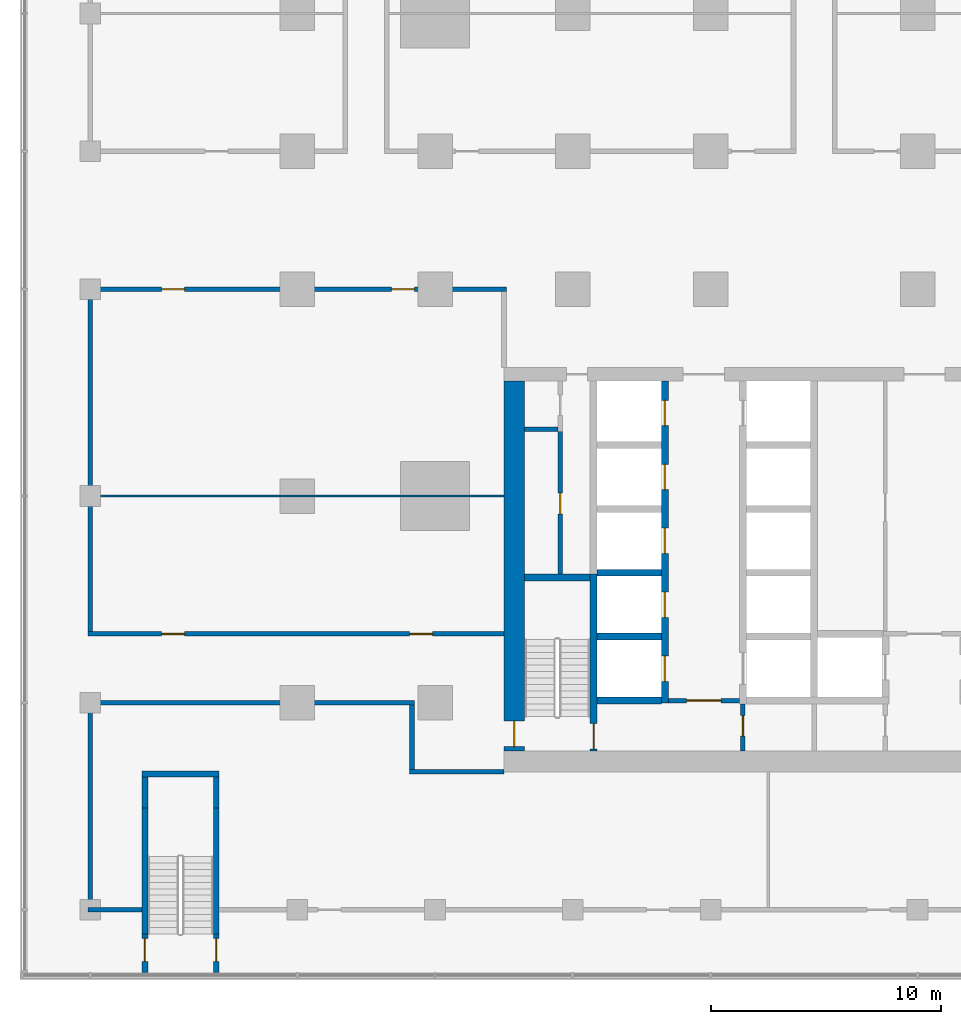
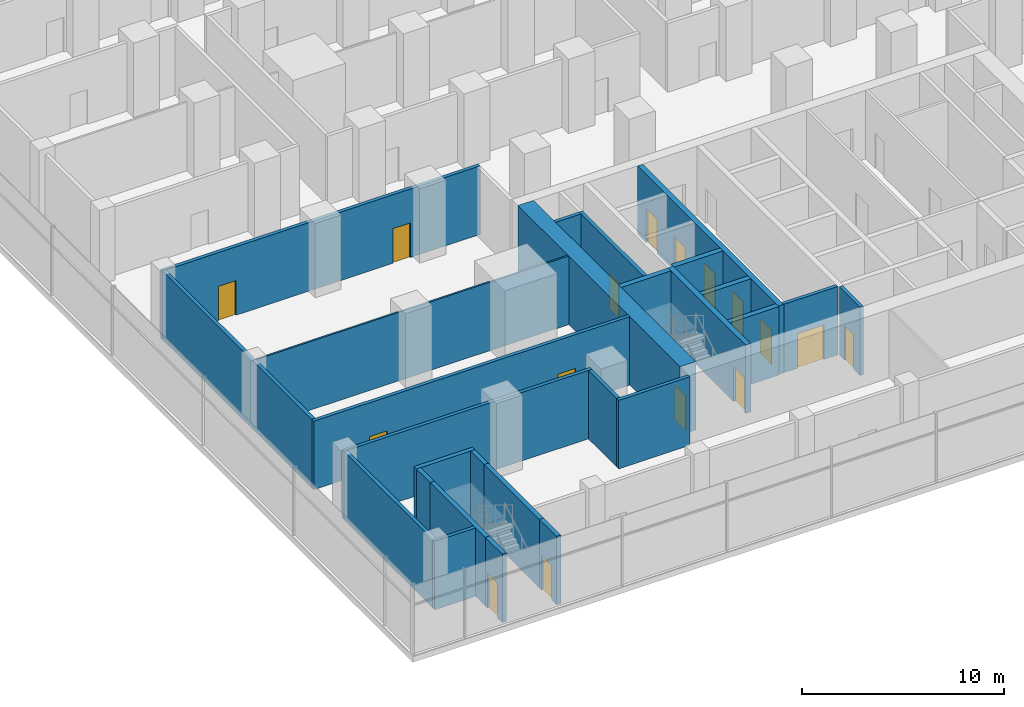
# One storey, part 12 of 22: 27 walls, 16 doors, 16 openings.
"""IFC4 building model written with IfcOpenShell, lengths in metres."""

import ifcopenshell
import ifcopenshell.guid

model = None  # the IFC model being written
_history = None  # IfcOwnerHistory: only IFC2X3 demands one
_inside = {}  # id of a spatial element -> (the spatial element, [elements in it])
_under = {}  # id of a project, library or spatial element -> (it, [spatial elements below it])
_declared = {}  # id of a project -> (the project, [libraries it declares])
_typed = {}  # id of a type object -> (the type object, [elements of that type])
_made_of = {}  # id of a material, layer set ... -> (it, [elements and type objects made of it])


def new_model(schema):
    """Start an empty IFC model of exactly this schema.

    Asked for "IFC4X3", IfcOpenShell would pick the latest addendum, in which some entities
    have other attributes; the version numbers below select the first issue.
    IFC2X3 requires an IfcOwnerHistory on every rooted entity: one is made here for all.
    """
    global model, _history
    if schema == "IFC4X3":
        model = ifcopenshell.file(schema_version=(4, 3, 0, 0))
    else:
        model = ifcopenshell.file(schema=schema)
    _inside.clear()
    _under.clear()
    _declared.clear()
    _typed.clear()
    _made_of.clear()
    _history = None
    if model.schema == "IFC2X3":
        org = make("IfcOrganization", Name="unknown")
        user = make(
            "IfcPersonAndOrganization",
            ThePerson=make("IfcPerson", FamilyName="unknown"),
            TheOrganization=org,
        )
        app = make(
            "IfcApplication",
            ApplicationDeveloper=org,
            Version="unknown",
            ApplicationFullName="unknown",
            ApplicationIdentifier="unknown",
        )
        _history = make(
            "IfcOwnerHistory",
            OwningUser=user,
            OwningApplication=app,
            ChangeAction="ADDED",
            CreationDate=0,
        )
    return model


def make(cls, **values):
    """One entity of the class cls with the attributes given. An attribute that is None is left unset."""
    return model.create_entity(
        cls, **{name: value for name, value in values.items() if value is not None}
    )


def rooted(cls, **values):
    """An entity with a GlobalId (a new one), such as an element, a storey or a relation."""
    return make(cls, GlobalId=ifcopenshell.guid.new(), OwnerHistory=_history, **values)


def si_unit(unit_type, name, prefix=None):
    """IfcSIUnit, for example si_unit("LENGTHUNIT", "METRE", prefix="MILLI")."""
    return make("IfcSIUnit", UnitType=unit_type, Prefix=prefix, Name=name)


def assignment(units):
    """IfcUnitAssignment: the units of a project."""
    return None if units is None else make("IfcUnitAssignment", Units=units)


def point(xyz):
    """IfcCartesianPoint."""
    return None if xyz is None else make("IfcCartesianPoint", Coordinates=xyz)


def direction(xyz):
    """IfcDirection."""
    return None if xyz is None else make("IfcDirection", DirectionRatios=xyz)


def frame(location, z_axis=None, x_axis=None):
    """IfcAxis2Placement3D, a coordinate frame: its origin and axes. An axis left out is left unset."""
    return make(
        "IfcAxis2Placement3D",
        Location=point(location),
        Axis=direction(z_axis),
        RefDirection=direction(x_axis),
    )


def frame_2d(location, x_axis=None):
    """IfcAxis2Placement2D, a coordinate frame in the plane: its origin and x axis."""
    return make(
        "IfcAxis2Placement2D", Location=point(location), RefDirection=direction(x_axis)
    )


def origin():
    """The frame at (0, 0, 0) with its axes left unset."""
    return frame((0.0, 0.0, 0.0))


def place(relative_to, where):
    """IfcLocalPlacement: puts the frame where relative to a parent placement (None: the world)."""
    return make(
        "IfcLocalPlacement", PlacementRelTo=relative_to, RelativePlacement=where
    )


def context(
    kind, dimensions, precision=None, world=None, true_north=None, identifier=None
):
    """IfcGeometricRepresentationContext, for example the 3D "Model" context."""
    return make(
        "IfcGeometricRepresentationContext",
        ContextIdentifier=identifier,
        ContextType=kind,
        CoordinateSpaceDimension=dimensions,
        Precision=precision,
        WorldCoordinateSystem=world,
        TrueNorth=true_north,
    )


def subcontext(parent, identifier, kind, view, scale=None):
    """IfcGeometricRepresentationSubContext, for example "Body" below "Model"."""
    return make(
        "IfcGeometricRepresentationSubContext",
        ContextIdentifier=identifier,
        ContextType=kind,
        ParentContext=parent,
        TargetScale=scale,
        TargetView=view,
    )


def project(units=None, contexts=None):
    """IfcProject with its units and contexts."""
    return rooted(
        "IfcProject",
        Name="project",
        RepresentationContexts=contexts,
        UnitsInContext=assignment(units),
    )


def spatial(cls, under=None, at=None, **own):
    """A site, building, storey or space (cls), placed at a placement, below another one or the project."""
    s = rooted(cls, ObjectPlacement=at, **own)
    if under is not None:
        _under.setdefault(under.id(), (under, []))[1].append(s)
    return s


def profile(cls, at=None, kind="AREA", **sizes):
    """A parametric profile (cls). Its sizes go by their IFC names, for example OverallWidth=200.0."""
    return make(cls, ProfileType=kind, Position=at, **sizes)


def rectangle(**sizes):
    """IfcRectangleProfileDef."""
    return profile("IfcRectangleProfileDef", **sizes)


def extrude(swept, where, along, depth):
    """IfcExtrudedAreaSolid: the profile swept, set in the frame where, extruded along a direction by depth."""
    return make(
        "IfcExtrudedAreaSolid",
        SweptArea=swept,
        Position=where,
        ExtrudedDirection=direction(along),
        Depth=depth,
    )


def shape(context_of_items, identifier, shape_type, items):
    """IfcShapeRepresentation: the items that make up one representation, for example the "Body"."""
    return make(
        "IfcShapeRepresentation",
        ContextOfItems=context_of_items,
        RepresentationIdentifier=identifier,
        RepresentationType=shape_type,
        Items=items,
    )


def material(Name=None, Category=None):
    """IfcMaterial."""
    return make("IfcMaterial", Name=Name, Category=Category)


def layer(
    of_material, thickness, ventilated=None, Name=None, Category=None, Priority=None
):
    """IfcMaterialLayer: one layer of a wall or slab, of a material (None: an air gap)."""
    return make(
        "IfcMaterialLayer",
        Material=of_material,
        LayerThickness=thickness,
        IsVentilated=ventilated,
        Name=Name,
        Category=Category,
        Priority=Priority,
    )


def layer_set(layers, Name=None):
    """IfcMaterialLayerSet."""
    return make("IfcMaterialLayerSet", MaterialLayers=layers, LayerSetName=Name)


def made_of(thing, what):
    """Note that an element or type object is made of a material, layer set ...; save() writes the relation."""
    if what is not None:
        _made_of.setdefault(what.id(), (what, []))[1].append(thing)
    return thing


def type_object(cls, material=None, **own):
    """A type object (cls), such as IfcWallType, which elements share."""
    return made_of(rooted(cls, **own), material)


def element(
    cls,
    number,
    at=None,
    inside=None,
    cuts=None,
    type_object=None,
    material=None,
    context=None,
    identifier="Body",
    shape_type=None,
    held_by="IfcProductDefinitionShape",
    body=None,
    shapes=None,
    **own,
):
    """One element of the class cls, such as IfcWall. Its Tag is "e" and its number.

    at: its placement. inside: the storey or other place that contains it. cuts: it is an
    opening in that element (IfcRelVoidsElement). A single representation is given by context,
    identifier, shape_type and body (its items); several are given by shapes. held_by: the class
    of the entity that holds the representations. save() writes the other relations.
    """
    e = rooted(cls, Tag="e%d" % number, ObjectPlacement=at, **own)
    if body is not None:
        shapes = [shape(context, identifier, shape_type, body)]
    if shapes is not None:
        e.Representation = make(held_by, Representations=shapes)
    if inside is not None:
        _inside.setdefault(inside.id(), (inside, []))[1].append(e)
    if cuts is not None:
        rooted(
            "IfcRelVoidsElement", RelatingBuildingElement=cuts, RelatedOpeningElement=e
        )
    if type_object is not None:
        _typed.setdefault(type_object.id(), (type_object, []))[1].append(e)
    return made_of(e, material)


def fill(opening, filler):
    """IfcRelFillsElement: the door or window that sits in an opening."""
    return rooted(
        "IfcRelFillsElement",
        RelatingOpeningElement=opening,
        RelatedBuildingElement=filler,
    )


def aggregate(whole, parts):
    """IfcRelAggregates: a whole, such as a stair, and the parts it consists of."""
    return rooted("IfcRelAggregates", RelatingObject=whole, RelatedObjects=parts)


def save(model, path):
    """Write the relations noted so far, then the file.

    IfcRelAggregates (storeys below a building ...), IfcRelContainedInSpatialStructure (elements
    in a storey), IfcRelDefinesByType, IfcRelAssociatesMaterial and IfcRelDeclares: one each for
    every whole, place, type object, material and project.
    """
    for whole, parts in _under.values():
        aggregate(whole, parts)
    for where, things in _inside.values():
        rooted(
            "IfcRelContainedInSpatialStructure",
            RelatedElements=things,
            RelatingStructure=where,
        )
    for kind, things in _typed.values():
        rooted("IfcRelDefinesByType", RelatedObjects=things, RelatingType=kind)
    for what, things in _made_of.values():
        rooted("IfcRelAssociatesMaterial", RelatedObjects=things, RelatingMaterial=what)
    for by, libraries in _declared.values():
        rooted("IfcRelDeclares", RelatingContext=by, RelatedDefinitions=libraries)
    model.write(path)


model = new_model("IFC4")

# Units and contexts
model_context = context("Model", 3, precision=1e-05, world=origin(), true_north=direction((0.0, 1.0)))
body_context = subcontext(model_context, "Body", "Model", "MODEL_VIEW")
ifc_project = project(units=[si_unit("LENGTHUNIT", "METRE"), si_unit("AREAUNIT", "SQUARE_METRE"), si_unit("VOLUMEUNIT", "CUBIC_METRE"), si_unit("PLANEANGLEUNIT", "RADIAN"), si_unit("MASSUNIT", "GRAM", prefix="KILO")], contexts=[model_context])

# Site, building, storey
site_placement = place(None, origin())
site = spatial("IfcSite", under=ifc_project, at=site_placement, CompositionType="ELEMENT")
building_placement = place(site_placement, origin())
building = spatial("IfcBuilding", under=site, at=building_placement, Name="Finial Court Residences", CompositionType="ELEMENT")
storey_placement = place(building_placement, frame((0.0, 0.0, 23.5)))
storey = spatial("IfcBuildingStorey", under=building, at=storey_placement, Name="L04", CompositionType="ELEMENT", Elevation=23.5)

# Wall, opening, door
ifc_material_1 = material(Name="Concrete C80/95", Category="concrete")
ifc_layer_1 = layer(ifc_material_1, 0.89990234375)
ifc_layer_set_1 = layer_set([ifc_layer_1], Name="Core outer wall 900 Concrete C80/95")
wall_type_1 = type_object("IfcWallType", Name="Core outer wall 900 Concrete C80/95", PredefinedType="SHEAR", material=ifc_layer_set_1)
wall_1_placement = place(storey_placement, frame((-13.050048828125, -8.5, 0.0), z_axis=(0.0, 0.0, 1.0), x_axis=(0.0, -1.0, 0.0)))
wall_1 = element("IfcWall", 1, at=wall_1_placement, inside=storey, type_object=wall_type_1, Name="Core outer wall L04-03", PredefinedType="SHEAR", context=body_context, shape_type="SweptSolid", body=[
    extrude(rectangle(XDim=16.10009765625, YDim=0.89990234375, at=frame_2d((8.050048828125, 0.0))), origin(), (0.0, 0.0, 1.0), 4.14990234375),
])
opening_1_placement = place(wall_1_placement, frame((14.800048828125, 0.0, 0.0)))
opening_1 = element("IfcOpeningElement", 2, at=opening_1_placement, cuts=wall_1, Name="Opening L04-C19", PredefinedType="OPENING", context=body_context, shape_type="SweptSolid", body=[
    extrude(rectangle(XDim=1.10009765625, YDim=2.10009765625, at=frame_2d((0.550048828125, 1.050048828125))), frame((0.0, 0.4599609375, 0.0), z_axis=(0.0, -1.0, 0.0), x_axis=(1.0, 0.0, 0.0)), (0.0, 0.0, 1.0), 0.919921875),
])
ifc_material_2 = material(Name="Steel fire door", Category="steel")
door_type_1 = type_object("IfcDoorType", Name="Stair door 1100 x 2100 EI 90", OperationType="NOTDEFINED", PredefinedType="DOOR", material=ifc_material_2)
door_1_placement = place(opening_1_placement, origin())
door_1 = element("IfcDoor", 3, at=door_1_placement, inside=storey, type_object=door_type_1, Name="Stair door L04-C19", OperationType="SINGLE_SWING_RIGHT", OverallHeight=2.10009765625, OverallWidth=1.10009765625, PredefinedType="DOOR", context=body_context, shape_type="SweptSolid", body=[
    extrude(rectangle(XDim=1.10009765625, YDim=2.10009765625, at=frame_2d((0.550048828125, 1.050048828125))), frame((0.0, 0.02490234375, 0.0), z_axis=(0.0, -1.0, 0.0), x_axis=(1.0, 0.0, 0.0)), (0.0, 0.0, 1.0), 0.050048828125),
])
fill(opening_1, door_1)

# Walls
ifc_material_3 = material(Name="Gypsum board")
ifc_layer_2 = layer(ifc_material_3, 0.02490234375)
ifc_material_4 = material(Name="Acoustic mineral wool in double frame")
ifc_layer_3 = layer(ifc_material_4, 0.14990234375)
ifc_layer_4 = layer(ifc_material_3, 0.02490234375)
ifc_layer_set_2 = layer_set([ifc_layer_2, ifc_layer_3, ifc_layer_4], Name="Corridor wall 200, 1 hour")
wall_type_2 = type_object("IfcWallType", Name="Corridor wall 200, 1 hour", PredefinedType="PARTITIONING", material=ifc_layer_set_2)
wall_2_placement = place(storey_placement, frame((-31.60009765625, -31.5, 0.0), z_axis=(0.0, 0.0, 1.0), x_axis=(1.0, 0.0, 0.0)))
element("IfcWall", 4, at=wall_2_placement, inside=storey, type_object=wall_type_2, Name="Partition L04-000", PredefinedType="PARTITIONING", context=body_context, shape_type="SweptSolid", body=[
    extrude(rectangle(XDim=2.35009765625, YDim=0.199951171875, at=frame_2d((1.175048828125, 0.0))), origin(), (0.0, 0.0, 1.0), 4.14990234375),
])
wall_3_placement = place(storey_placement, frame((-17.60009765625, -25.5, 0.0), z_axis=(0.0, 0.0, 1.0), x_axis=(1.0, 0.0, 0.0)))
element("IfcWall", 5, at=wall_3_placement, inside=storey, type_object=wall_type_2, Name="Partition L04-003", PredefinedType="PARTITIONING", context=body_context, shape_type="SweptSolid", body=[
    extrude(rectangle(XDim=4.10009765625, YDim=0.199951171875, at=frame_2d((2.050048828125, 0.0))), origin(), (0.0, 0.0, 1.0), 4.14990234375),
])
wall_4_placement = place(storey_placement, frame((-31.60009765625, -22.5, 0.0), z_axis=(0.0, 0.0, 1.0), x_axis=(1.0, 0.0, 0.0)))
element("IfcWall", 6, at=wall_4_placement, inside=storey, type_object=wall_type_2, Name="Partition L04-005", PredefinedType="PARTITIONING", context=body_context, shape_type="SweptSolid", body=[
    extrude(rectangle(XDim=14.2001953125, YDim=0.199951171875, at=frame_2d((7.10009765625, 0.0))), origin(), (0.0, 0.0, 1.0), 4.14990234375),
])

# Wall, openings, doors
wall_5_placement = place(storey_placement, frame((-31.60009765625, -19.5, 0.0), z_axis=(0.0, 0.0, 1.0), x_axis=(1.0, 0.0, 0.0)))
wall_5 = element("IfcWall", 7, at=wall_5_placement, inside=storey, type_object=wall_type_2, Name="Partition L04-008", PredefinedType="PARTITIONING", context=body_context, shape_type="SweptSolid", body=[
    extrude(rectangle(XDim=18.10009765625, YDim=0.199951171875, at=frame_2d((9.050048828125, 0.0))), origin(), (0.0, 0.0, 1.0), 4.14990234375),
])
opening_2_placement = place(wall_5_placement, frame((3.199951171875, 0.0, 0.0)))
opening_2 = element("IfcOpeningElement", 8, at=opening_2_placement, cuts=wall_5, Name="Opening L04-D008", PredefinedType="OPENING", context=body_context, shape_type="SweptSolid", body=[
    extrude(rectangle(XDim=1.0, YDim=2.10009765625, at=frame_2d((0.5, 1.050048828125))), frame((0.0, 0.10986328125, 0.0), z_axis=(0.0, -1.0, 0.0), x_axis=(1.0, 0.0, 0.0)), (0.0, 0.0, 1.0), 0.219970703125),
])
opening_3_placement = place(wall_5_placement, frame((14.0, 0.0, 0.0)))
opening_3 = element("IfcOpeningElement", 9, at=opening_3_placement, cuts=wall_5, Name="Opening L04-D009", PredefinedType="OPENING", context=body_context, shape_type="SweptSolid", body=[
    extrude(rectangle(XDim=1.0, YDim=2.10009765625, at=frame_2d((0.5, 1.050048828125))), frame((0.0, 0.10986328125, 0.0), z_axis=(0.0, -1.0, 0.0), x_axis=(1.0, 0.0, 0.0)), (0.0, 0.0, 1.0), 0.219970703125),
])
ifc_material_5 = material(Name="Timber door leaf in hollow metal frame", Category="wood")
door_type_2 = type_object("IfcDoorType", Name="Fire door set 1000 x 2100, 30 minutes", OperationType="SINGLE_SWING_LEFT", PredefinedType="DOOR", material=ifc_material_5)
door_2_placement = place(opening_2_placement, origin())
door_2 = element("IfcDoor", 10, at=door_2_placement, inside=storey, type_object=door_type_2, Name="Door L04-D008", OperationType="SINGLE_SWING_RIGHT", OverallHeight=2.10009765625, OverallWidth=1.0, PredefinedType="DOOR", context=body_context, shape_type="SweptSolid", body=[
    extrude(rectangle(XDim=1.0, YDim=2.10009765625, at=frame_2d((0.5, 1.050048828125))), frame((0.0, 0.02490234375, 0.0), z_axis=(0.0, -1.0, 0.0), x_axis=(1.0, 0.0, 0.0)), (0.0, 0.0, 1.0), 0.050048828125),
])
fill(opening_2, door_2)
door_3_placement = place(opening_3_placement, origin())
door_3 = element("IfcDoor", 11, at=door_3_placement, inside=storey, type_object=door_type_2, Name="Door L04-D009", OperationType="SINGLE_SWING_LEFT", OverallHeight=2.10009765625, OverallWidth=1.0, PredefinedType="DOOR", context=body_context, shape_type="SweptSolid", body=[
    extrude(rectangle(XDim=1.0, YDim=2.10009765625, at=frame_2d((0.5, 1.050048828125))), frame((0.0, 0.02490234375, 0.0), z_axis=(0.0, -1.0, 0.0), x_axis=(1.0, 0.0, 0.0)), (0.0, 0.0, 1.0), 0.050048828125),
])
fill(opening_3, door_3)

wall_6_placement = place(storey_placement, frame((-31.60009765625, -4.5, 0.0), z_axis=(0.0, 0.0, 1.0), x_axis=(1.0, 0.0, 0.0)))
wall_6 = element("IfcWall", 12, at=wall_6_placement, inside=storey, type_object=wall_type_2, Name="Partition L04-015", PredefinedType="PARTITIONING", context=body_context, shape_type="SweptSolid", body=[
    extrude(rectangle(XDim=18.2001953125, YDim=0.199951171875, at=frame_2d((9.10009765625, 0.0))), origin(), (0.0, 0.0, 1.0), 4.14990234375),
])
opening_4_placement = place(wall_6_placement, frame((3.199951171875, 0.0, 0.0)))
opening_4 = element("IfcOpeningElement", 13, at=opening_4_placement, cuts=wall_6, Name="Opening L04-D013", PredefinedType="OPENING", context=body_context, shape_type="SweptSolid", body=[
    extrude(rectangle(XDim=1.0, YDim=2.10009765625, at=frame_2d((0.5, 1.050048828125))), frame((0.0, 0.10986328125, 0.0), z_axis=(0.0, -1.0, 0.0), x_axis=(1.0, 0.0, 0.0)), (0.0, 0.0, 1.0), 0.219970703125),
])
opening_5_placement = place(wall_6_placement, frame((13.199951171875, 0.0, 0.0)))
opening_5 = element("IfcOpeningElement", 14, at=opening_5_placement, cuts=wall_6, Name="Opening L04-D014", PredefinedType="OPENING", context=body_context, shape_type="SweptSolid", body=[
    extrude(rectangle(XDim=1.0, YDim=2.10009765625, at=frame_2d((0.5, 1.050048828125))), frame((0.0, 0.10986328125, 0.0), z_axis=(0.0, -1.0, 0.0), x_axis=(1.0, 0.0, 0.0)), (0.0, 0.0, 1.0), 0.219970703125),
])
door_4_placement = place(opening_4_placement, origin())
door_4 = element("IfcDoor", 15, at=door_4_placement, inside=storey, type_object=door_type_2, Name="Door L04-D013", OperationType="SINGLE_SWING_LEFT", OverallHeight=2.10009765625, OverallWidth=1.0, PredefinedType="DOOR", context=body_context, shape_type="SweptSolid", body=[
    extrude(rectangle(XDim=1.0, YDim=2.10009765625, at=frame_2d((0.5, 1.050048828125))), frame((0.0, 0.02490234375, 0.0), z_axis=(0.0, -1.0, 0.0), x_axis=(1.0, 0.0, 0.0)), (0.0, 0.0, 1.0), 0.050048828125),
])
fill(opening_4, door_4)
door_5_placement = place(opening_5_placement, origin())
door_5 = element("IfcDoor", 16, at=door_5_placement, inside=storey, type_object=door_type_2, Name="Door L04-D014", OperationType="SINGLE_SWING_RIGHT", OverallHeight=2.10009765625, OverallWidth=1.0, PredefinedType="DOOR", context=body_context, shape_type="SweptSolid", body=[
    extrude(rectangle(XDim=1.0, YDim=2.10009765625, at=frame_2d((0.5, 1.050048828125))), frame((0.0, 0.02490234375, 0.0), z_axis=(0.0, -1.0, 0.0), x_axis=(1.0, 0.0, 0.0)), (0.0, 0.0, 1.0), 0.050048828125),
])
fill(opening_5, door_5)

# Walls
wall_7_placement = place(storey_placement, frame((-31.5, -31.39990234375, 0.0), z_axis=(0.0, 0.0, 1.0), x_axis=(0.0, 1.0, 0.0)))
element("IfcWall", 17, at=wall_7_placement, inside=storey, type_object=wall_type_2, Name="Partition L04-040", PredefinedType="PARTITIONING", context=body_context, shape_type="SweptSolid", body=[
    extrude(rectangle(XDim=8.7998046875, YDim=0.199951171875, at=frame_2d((4.39990234375, 0.0))), origin(), (0.0, 0.0, 1.0), 4.14990234375),
])
wall_8_placement = place(storey_placement, frame((-31.5, -19.39990234375, 0.0), z_axis=(0.0, 0.0, 1.0), x_axis=(0.0, 1.0, 0.0)))
element("IfcWall", 18, at=wall_8_placement, inside=storey, type_object=wall_type_2, Name="Partition L04-041", PredefinedType="PARTITIONING", context=body_context, shape_type="SweptSolid", body=[
    extrude(rectangle(XDim=14.7998046875, YDim=0.199951171875, at=frame_2d((7.39990234375, 0.0))), origin(), (0.0, 0.0, 1.0), 4.14990234375),
])
wall_9_placement = place(storey_placement, frame((-17.5, -25.39990234375, 0.0), z_axis=(0.0, 0.0, 1.0), x_axis=(0.0, 1.0, 0.0)))
element("IfcWall", 19, at=wall_9_placement, inside=storey, type_object=wall_type_2, Name="Partition L04-048", PredefinedType="PARTITIONING", context=body_context, shape_type="SweptSolid", body=[
    extrude(rectangle(XDim=2.7998046875, YDim=0.199951171875, at=frame_2d((1.39990234375, 0.0))), origin(), (0.0, 0.0, 1.0), 4.14990234375),
])
ifc_layer_5 = layer(ifc_material_3, 0.012451171875)
ifc_material_6 = material(Name="Mineral wool in light-gauge frame")
ifc_layer_6 = layer(ifc_material_6, 0.074951171875)
ifc_layer_7 = layer(ifc_material_3, 0.012451171875)
ifc_layer_set_3 = layer_set([ifc_layer_5, ifc_layer_6, ifc_layer_7], Name="Gypsum board partition 100")
wall_type_3 = type_object("IfcWallType", Name="Gypsum board partition 100", PredefinedType="PARTITIONING", material=ifc_layer_set_3)
wall_10_placement = place(storey_placement, frame((-31.39990234375, -13.5, 0.0), z_axis=(0.0, 0.0, 1.0), x_axis=(1.0, 0.0, 0.0)))
element("IfcWall", 20, at=wall_10_placement, inside=storey, type_object=wall_type_3, Name="Partition L04-013", PredefinedType="PARTITIONING", context=body_context, shape_type="SweptSolid", body=[
    extrude(rectangle(XDim=17.89990234375, YDim=0.10009765625, at=frame_2d((8.949951171875, 0.0))), origin(), (0.0, 0.0, 1.0), 4.14990234375),
])
ifc_layer_8 = layer(ifc_material_1, 0.300048828125)
ifc_layer_set_4 = layer_set([ifc_layer_8], Name="Lift shaft and stair wall 300 Concrete C80/95")
wall_type_4 = type_object("IfcWallType", Name="Lift shaft and stair wall 300 Concrete C80/95", PredefinedType="SHEAR", material=ifc_layer_set_4)
for number, where, z_axis, x_axis, name in (
    (21, (-9.449951171875, -22.39990234375, 0.0), (0.0, 0.0, 1.0), (1.0, 0.0, 0.0), "Core wall L04-01"),
    (22, (-9.449951171875, -19.6201171875, 0.0), (0.0, 0.0, 1.0), (1.0, 0.0, 0.0), "Core wall L04-05"),
):
    element("IfcWall", number, at=place(storey_placement, frame(where, z_axis=z_axis, x_axis=x_axis)), inside=storey, type_object=wall_type_4, Name=name, PredefinedType="SHEAR", context=body_context, shape_type="SweptSolid", body=[
        extrude(rectangle(XDim=2.800048828125, YDim=0.300048828125, at=frame_2d((1.39990234375, 0.0))), origin(), (0.0, 0.0, 1.0), 4.14990234375),
    ])
wall_11_placement = place(storey_placement, frame((-12.60009765625, -17.050048828125, 0.0), z_axis=(0.0, 0.0, 1.0), x_axis=(1.0, 0.0, 0.0)))
element("IfcWall", 23, at=wall_11_placement, inside=storey, type_object=wall_type_4, Name="Core wall L04-10", PredefinedType="SHEAR", context=body_context, shape_type="SweptSolid", body=[
    extrude(rectangle(XDim=2.85009765625, YDim=0.300048828125, at=frame_2d((1.425048828125, 0.0))), origin(), (0.0, 0.0, 1.0), 4.14990234375),
])
wall_12_placement = place(storey_placement, frame((-9.449951171875, -16.840087890625, 0.0), z_axis=(0.0, 0.0, 1.0), x_axis=(1.0, 0.0, 0.0)))
element("IfcWall", 24, at=wall_12_placement, inside=storey, type_object=wall_type_4, Name="Core wall L04-12", PredefinedType="SHEAR", context=body_context, shape_type="SweptSolid", body=[
    extrude(rectangle(XDim=2.800048828125, YDim=0.300048828125, at=frame_2d((1.39990234375, 0.0))), origin(), (0.0, 0.0, 1.0), 4.14990234375),
])

# Wall, opening, door
wall_13_placement = place(storey_placement, frame((-9.60009765625, -24.60009765625, 0.0), z_axis=(0.0, 0.0, 1.0), x_axis=(0.0, 1.0, 0.0)))
wall_13 = element("IfcWall", 25, at=wall_13_placement, inside=storey, type_object=wall_type_4, Name="Core wall L04-23", PredefinedType="SHEAR", context=body_context, shape_type="SweptSolid", body=[
    extrude(rectangle(XDim=7.7001953125, YDim=0.300048828125, at=frame_2d((3.85009765625, 0.0))), origin(), (0.0, 0.0, 1.0), 4.14990234375),
])
opening_6_placement = place(wall_13_placement, frame((0.10009765625, 0.0, 0.0)))
opening_6 = element("IfcOpeningElement", 26, at=opening_6_placement, cuts=wall_13, Name="Opening L04-C17", PredefinedType="OPENING", context=body_context, shape_type="SweptSolid", body=[
    extrude(rectangle(XDim=1.10009765625, YDim=2.10009765625, at=frame_2d((0.550048828125, 1.050048828125))), frame((0.0, 0.159912109375, 0.0), z_axis=(0.0, -1.0, 0.0), x_axis=(1.0, 0.0, 0.0)), (0.0, 0.0, 1.0), 0.320068359375),
])
door_6_placement = place(opening_6_placement, origin())
door_6 = element("IfcDoor", 27, at=door_6_placement, inside=storey, type_object=door_type_1, Name="Stair door L04-C17", OperationType="SINGLE_SWING_LEFT", OverallHeight=2.10009765625, OverallWidth=1.10009765625, PredefinedType="DOOR", context=body_context, shape_type="SweptSolid", body=[
    extrude(rectangle(XDim=1.10009765625, YDim=2.10009765625, at=frame_2d((0.550048828125, 1.050048828125))), frame((0.0, 0.02490234375, 0.0), z_axis=(0.0, -1.0, 0.0), x_axis=(1.0, 0.0, 0.0)), (0.0, 0.0, 1.0), 0.050048828125),
])
fill(opening_6, door_6)

# Wall, openings, doors
wall_14_placement = place(storey_placement, frame((-6.5, -22.5, 0.0), z_axis=(0.0, 0.0, 1.0), x_axis=(0.0, 1.0, 0.0)))
wall_14 = element("IfcWall", 28, at=wall_14_placement, inside=storey, type_object=wall_type_4, Name="Core wall L04-25", PredefinedType="SHEAR", context=body_context, shape_type="SweptSolid", body=[
    extrude(rectangle(XDim=14.0, YDim=0.300048828125, at=frame_2d((7.0, 0.0))), origin(), (0.0, 0.0, 1.0), 4.14990234375),
])
opening_7_placement = place(wall_14_placement, frame((0.93994140625, 0.0, 0.0)))
opening_7 = element("IfcOpeningElement", 29, at=opening_7_placement, cuts=wall_14, Name="Opening L04-LD03", PredefinedType="OPENING", context=body_context, shape_type="SweptSolid", body=[
    extrude(rectangle(XDim=1.10009765625, YDim=2.10009765625, at=frame_2d((0.550048828125, 1.050048828125))), frame((0.0, 0.159912109375, 0.0), z_axis=(0.0, -1.0, 0.0), x_axis=(1.0, 0.0, 0.0)), (0.0, 0.0, 1.0), 0.320068359375),
])
opening_8_placement = place(wall_14_placement, frame((3.719970703125, 0.0, 0.0)))
opening_8 = element("IfcOpeningElement", 30, at=opening_8_placement, cuts=wall_14, Name="Opening L04-LD04", PredefinedType="OPENING", context=body_context, shape_type="SweptSolid", body=[
    extrude(rectangle(XDim=1.10009765625, YDim=2.10009765625, at=frame_2d((0.550048828125, 1.050048828125))), frame((0.0, 0.159912109375, 0.0), z_axis=(0.0, -1.0, 0.0), x_axis=(1.0, 0.0, 0.0)), (0.0, 0.0, 1.0), 0.320068359375),
])
opening_9_placement = place(wall_14_placement, frame((6.5, 0.0, 0.0)))
opening_9 = element("IfcOpeningElement", 31, at=opening_9_placement, cuts=wall_14, Name="Opening L04-LD05", PredefinedType="OPENING", context=body_context, shape_type="SweptSolid", body=[
    extrude(rectangle(XDim=1.10009765625, YDim=2.10009765625, at=frame_2d((0.550048828125, 1.050048828125))), frame((0.0, 0.159912109375, 0.0), z_axis=(0.0, -1.0, 0.0), x_axis=(1.0, 0.0, 0.0)), (0.0, 0.0, 1.0), 0.320068359375),
])
opening_10_placement = place(wall_14_placement, frame((9.280029296875, 0.0, 0.0)))
opening_10 = element("IfcOpeningElement", 32, at=opening_10_placement, cuts=wall_14, Name="Opening L04-LD06", PredefinedType="OPENING", context=body_context, shape_type="SweptSolid", body=[
    extrude(rectangle(XDim=1.10009765625, YDim=2.10009765625, at=frame_2d((0.550048828125, 1.050048828125))), frame((0.0, 0.159912109375, 0.0), z_axis=(0.0, -1.0, 0.0), x_axis=(1.0, 0.0, 0.0)), (0.0, 0.0, 1.0), 0.320068359375),
])
opening_11_placement = place(wall_14_placement, frame((12.06005859375, 0.0, 0.0)))
opening_11 = element("IfcOpeningElement", 33, at=opening_11_placement, cuts=wall_14, Name="Opening L04-LD07", PredefinedType="OPENING", context=body_context, shape_type="SweptSolid", body=[
    extrude(rectangle(XDim=1.10009765625, YDim=2.10009765625, at=frame_2d((0.550048828125, 1.050048828125))), frame((0.0, 0.159912109375, 0.0), z_axis=(0.0, -1.0, 0.0), x_axis=(1.0, 0.0, 0.0)), (0.0, 0.0, 1.0), 0.320068359375),
])
ifc_material_7 = material(Name="Stainless steel lift door", Category="steel")
door_type_3 = type_object("IfcDoorType", Name="Lift landing door 1100 x 2100 EI 90", OperationType="DOUBLE_DOOR_SLIDING", PredefinedType="DOOR", material=ifc_material_7)
door_7_placement = place(opening_7_placement, origin())
door_7 = element("IfcDoor", 34, at=door_7_placement, inside=storey, type_object=door_type_3, Name="Lift landing door LR1 L04", OperationType="DOUBLE_DOOR_SLIDING", OverallHeight=2.10009765625, OverallWidth=1.10009765625, PredefinedType="DOOR", context=body_context, shape_type="SweptSolid", body=[
    extrude(rectangle(XDim=1.10009765625, YDim=2.10009765625, at=frame_2d((0.550048828125, 1.050048828125))), frame((0.0, 0.02490234375, 0.0), z_axis=(0.0, -1.0, 0.0), x_axis=(1.0, 0.0, 0.0)), (0.0, 0.0, 1.0), 0.050048828125),
])
fill(opening_7, door_7)
door_8_placement = place(opening_8_placement, origin())
door_8 = element("IfcDoor", 35, at=door_8_placement, inside=storey, type_object=door_type_3, Name="Lift landing door LR2 L04", OperationType="DOUBLE_DOOR_SLIDING", OverallHeight=2.10009765625, OverallWidth=1.10009765625, PredefinedType="DOOR", context=body_context, shape_type="SweptSolid", body=[
    extrude(rectangle(XDim=1.10009765625, YDim=2.10009765625, at=frame_2d((0.550048828125, 1.050048828125))), frame((0.0, 0.02490234375, 0.0), z_axis=(0.0, -1.0, 0.0), x_axis=(1.0, 0.0, 0.0)), (0.0, 0.0, 1.0), 0.050048828125),
])
fill(opening_8, door_8)
door_9_placement = place(opening_9_placement, origin())
door_9 = element("IfcDoor", 36, at=door_9_placement, inside=storey, type_object=door_type_3, Name="Lift landing door LR3 L04", OperationType="DOUBLE_DOOR_SLIDING", OverallHeight=2.10009765625, OverallWidth=1.10009765625, PredefinedType="DOOR", context=body_context, shape_type="SweptSolid", body=[
    extrude(rectangle(XDim=1.10009765625, YDim=2.10009765625, at=frame_2d((0.550048828125, 1.050048828125))), frame((0.0, 0.02490234375, 0.0), z_axis=(0.0, -1.0, 0.0), x_axis=(1.0, 0.0, 0.0)), (0.0, 0.0, 1.0), 0.050048828125),
])
fill(opening_9, door_9)
door_10_placement = place(opening_10_placement, origin())
door_10 = element("IfcDoor", 37, at=door_10_placement, inside=storey, type_object=door_type_3, Name="Lift landing door LR4 L04", OperationType="DOUBLE_DOOR_SLIDING", OverallHeight=2.10009765625, OverallWidth=1.10009765625, PredefinedType="DOOR", context=body_context, shape_type="SweptSolid", body=[
    extrude(rectangle(XDim=1.10009765625, YDim=2.10009765625, at=frame_2d((0.550048828125, 1.050048828125))), frame((0.0, 0.02490234375, 0.0), z_axis=(0.0, -1.0, 0.0), x_axis=(1.0, 0.0, 0.0)), (0.0, 0.0, 1.0), 0.050048828125),
])
fill(opening_10, door_10)
door_11_placement = place(opening_11_placement, origin())
door_11 = element("IfcDoor", 38, at=door_11_placement, inside=storey, type_object=door_type_3, Name="Lift landing door LR5 L04", OperationType="DOUBLE_DOOR_SLIDING", OverallHeight=2.10009765625, OverallWidth=1.10009765625, PredefinedType="DOOR", context=body_context, shape_type="SweptSolid", body=[
    extrude(rectangle(XDim=1.10009765625, YDim=2.10009765625, at=frame_2d((0.550048828125, 1.050048828125))), frame((0.0, 0.02490234375, 0.0), z_axis=(0.0, -1.0, 0.0), x_axis=(1.0, 0.0, 0.0)), (0.0, 0.0, 1.0), 0.050048828125),
])
fill(opening_11, door_11)

# Wall
ifc_material_8 = material(Name="Fire-rated gypsum board partition")
ifc_layer_9 = layer(ifc_material_8, 0.199951171875)
ifc_layer_set_5 = layer_set([ifc_layer_9], Name="Riser room wall 200 EI 120")
wall_type_5 = type_object("IfcWallType", Name="Riser room wall 200 EI 120", PredefinedType="PARTITIONING", material=ifc_layer_set_5)
wall_15_placement = place(storey_placement, frame((-12.60009765625, -10.60009765625, 0.0), z_axis=(0.0, 0.0, 1.0), x_axis=(1.0, 0.0, 0.0)))
element("IfcWall", 39, at=wall_15_placement, inside=storey, type_object=wall_type_5, Name="Core partition L04-20", PredefinedType="PARTITIONING", context=body_context, shape_type="SweptSolid", body=[
    extrude(rectangle(XDim=1.4501953125, YDim=0.199951171875, at=frame_2d((0.72509765625, 0.0))), origin(), (0.0, 0.0, 1.0), 4.14990234375),
])

# Wall, opening, door
ifc_material_9 = material(Name="Concrete C50/60", Category="concrete")
ifc_layer_10 = layer(ifc_material_9, 0.25)
ifc_layer_set_6 = layer_set([ifc_layer_10], Name="Stair enclosure wall 250 Concrete C50/60")
wall_type_6 = type_object("IfcWallType", Name="Stair enclosure wall 250 Concrete C50/60", PredefinedType="SHEAR", material=ifc_layer_set_6)
wall_16_placement = place(storey_placement, frame((-29.125, -32.550048828125, 0.0), z_axis=(0.0, 0.0, 1.0), x_axis=(0.0, -1.0, 0.0)))
wall_16 = element("IfcWall", 40, at=wall_16_placement, inside=storey, type_object=wall_type_6, Name="Exit Stair 4 enclosure wall L04-W1", PredefinedType="SHEAR", context=body_context, shape_type="SweptSolid", body=[
    extrude(rectangle(XDim=1.68994140625, YDim=0.25, at=frame_2d((0.844970703125, 0.0))), origin(), (0.0, 0.0, 1.0), 4.14990234375),
])
opening_12_placement = place(wall_16_placement, frame((0.199951171875, 0.0, 0.0)))
opening_12 = element("IfcOpeningElement", 41, at=opening_12_placement, cuts=wall_16, Name="Opening L04-S4", PredefinedType="OPENING", context=body_context, shape_type="SweptSolid", body=[
    extrude(rectangle(XDim=1.0, YDim=2.10009765625, at=frame_2d((0.5, 1.050048828125))), frame((0.0, 0.135009765625, 0.0), z_axis=(0.0, -1.0, 0.0), x_axis=(1.0, 0.0, 0.0)), (0.0, 0.0, 1.0), 0.27001953125),
])
door_type_4 = type_object("IfcDoorType", Name="Stair door 1000 x 2100 EI 90", OperationType="NOTDEFINED", PredefinedType="DOOR", material=ifc_material_2)
door_12_placement = place(opening_12_placement, origin())
door_12 = element("IfcDoor", 42, at=door_12_placement, inside=storey, type_object=door_type_4, Name="Exit Stair 4 door L04", OperationType="SINGLE_SWING_RIGHT", OverallHeight=2.10009765625, OverallWidth=1.0, PredefinedType="DOOR", context=body_context, shape_type="SweptSolid", body=[
    extrude(rectangle(XDim=1.0, YDim=2.10009765625, at=frame_2d((0.5, 1.050048828125))), frame((0.0, 0.02490234375, 0.0), z_axis=(0.0, -1.0, 0.0), x_axis=(1.0, 0.0, 0.0)), (0.0, 0.0, 1.0), 0.050048828125),
])
fill(opening_12, door_12)

# Walls
wall_17_placement = place(storey_placement, frame((-29.125, -32.550048828125, 0.0), z_axis=(0.0, 0.0, 1.0), x_axis=(0.0, 1.0, 0.0)))
element("IfcWall", 43, at=wall_17_placement, inside=storey, type_object=wall_type_6, Name="Exit Stair 4 enclosure wall L04-W2", PredefinedType="SHEAR", context=body_context, shape_type="SweptSolid", body=[
    extrude(rectangle(XDim=5.47998046875, YDim=0.25, at=frame_2d((2.739990234375, 0.0))), origin(), (0.0, 0.0, 1.0), 4.14990234375),
])
wall_18_placement = place(storey_placement, frame((-29.125, -27.070068359375, 0.0), z_axis=(0.0, 0.0, 1.0), x_axis=(0.0, 1.0, 0.0)))
element("IfcWall", 44, at=wall_18_placement, inside=storey, type_object=wall_type_6, Name="Exit Stair 4 enclosure wall L04-W3", PredefinedType="SHEAR", context=body_context, shape_type="SweptSolid", body=[
    extrude(rectangle(XDim=1.35009765625, YDim=0.25, at=frame_2d((0.675048828125, 0.0))), origin(), (0.0, 0.0, 1.0), 4.14990234375),
])

# Wall, opening, door
wall_19_placement = place(storey_placement, frame((-26.02490234375, -34.239990234375, 0.0), z_axis=(0.0, 0.0, 1.0), x_axis=(0.0, 1.0, 0.0)))
wall_19 = element("IfcWall", 45, at=wall_19_placement, inside=storey, type_object=wall_type_6, Name="Exit Stair 4 enclosure wall L04-E1", PredefinedType="SHEAR", context=body_context, shape_type="SweptSolid", body=[
    extrude(rectangle(XDim=1.68994140625, YDim=0.25, at=frame_2d((0.844970703125, 0.0))), origin(), (0.0, 0.0, 1.0), 4.14990234375),
])
opening_13_placement = place(wall_19_placement, frame((0.489990234375, 0.0, 0.0)))
opening_13 = element("IfcOpeningElement", 46, at=opening_13_placement, cuts=wall_19, Name="Opening L04-S4E", PredefinedType="OPENING", context=body_context, shape_type="SweptSolid", body=[
    extrude(rectangle(XDim=1.0, YDim=2.10009765625, at=frame_2d((0.5, 1.050048828125))), frame((0.0, 0.135009765625, 0.0), z_axis=(0.0, -1.0, 0.0), x_axis=(1.0, 0.0, 0.0)), (0.0, 0.0, 1.0), 0.27001953125),
])
door_13_placement = place(opening_13_placement, origin())
door_13 = element("IfcDoor", 47, at=door_13_placement, inside=storey, type_object=door_type_4, Name="Exit Stair 4 east door L04", OperationType="SINGLE_SWING_LEFT", OverallHeight=2.10009765625, OverallWidth=1.0, PredefinedType="DOOR", context=body_context, shape_type="SweptSolid", body=[
    extrude(rectangle(XDim=1.0, YDim=2.10009765625, at=frame_2d((0.5, 1.050048828125))), frame((0.0, 0.02490234375, 0.0), z_axis=(0.0, -1.0, 0.0), x_axis=(1.0, 0.0, 0.0)), (0.0, 0.0, 1.0), 0.050048828125),
])
fill(opening_13, door_13)

# Walls
wall_20_placement = place(storey_placement, frame((-26.02490234375, -32.550048828125, 0.0), z_axis=(0.0, 0.0, 1.0), x_axis=(0.0, 1.0, 0.0)))
element("IfcWall", 48, at=wall_20_placement, inside=storey, type_object=wall_type_6, Name="Exit Stair 4 enclosure wall L04-E2", PredefinedType="SHEAR", context=body_context, shape_type="SweptSolid", body=[
    extrude(rectangle(XDim=5.47998046875, YDim=0.25, at=frame_2d((2.739990234375, 0.0))), origin(), (0.0, 0.0, 1.0), 4.14990234375),
])
wall_21_placement = place(storey_placement, frame((-26.02490234375, -27.070068359375, 0.0), z_axis=(0.0, 0.0, 1.0), x_axis=(0.0, 1.0, 0.0)))
element("IfcWall", 49, at=wall_21_placement, inside=storey, type_object=wall_type_6, Name="Exit Stair 4 enclosure wall L04-E3", PredefinedType="SHEAR", context=body_context, shape_type="SweptSolid", body=[
    extrude(rectangle(XDim=1.35009765625, YDim=0.25, at=frame_2d((0.675048828125, 0.0))), origin(), (0.0, 0.0, 1.0), 4.14990234375),
])
wall_22_placement = place(storey_placement, frame((-29.25, -25.594970703125, 0.0), z_axis=(0.0, 0.0, 1.0), x_axis=(1.0, 0.0, 0.0)))
element("IfcWall", 50, at=wall_22_placement, inside=storey, type_object=wall_type_6, Name="Exit Stair 4 enclosure wall L04-N", PredefinedType="SHEAR", context=body_context, shape_type="SweptSolid", body=[
    extrude(rectangle(XDim=3.35009765625, YDim=0.25, at=frame_2d((1.675048828125, 0.0))), origin(), (0.0, 0.0, 1.0), 4.14990234375),
])

# Wall, opening, door
ifc_layer_11 = layer(ifc_material_8, 0.199951171875)
ifc_layer_set_7 = layer_set([ifc_layer_11], Name="Stair passage wall 200 EI 180")
wall_type_7 = type_object("IfcWallType", Name="Stair passage wall 200 EI 180", PredefinedType="PARTITIONING", material=ifc_layer_set_7)
wall_23_placement = place(storey_placement, frame((-3.25, -22.39990234375, 0.0), z_axis=(0.0, 0.0, 1.0), x_axis=(-1.0, 0.0, 0.0)))
wall_23 = element("IfcWall", 51, at=wall_23_placement, inside=storey, type_object=wall_type_7, Name="Core partition L04-02", PredefinedType="PARTITIONING", context=body_context, shape_type="SweptSolid", body=[
    extrude(rectangle(XDim=3.10009765625, YDim=0.199951171875, at=frame_2d((1.550048828125, 0.0))), origin(), (0.0, 0.0, 1.0), 4.14990234375),
])
opening_14_placement = place(wall_23_placement, frame((0.800048828125, 0.0, 0.0)))
opening_14 = element("IfcOpeningElement", 52, at=opening_14_placement, cuts=wall_23, Name="Opening L04-C03", PredefinedType="OPENING", context=body_context, shape_type="SweptSolid", body=[
    extrude(rectangle(XDim=1.5, YDim=2.10009765625, at=frame_2d((0.75, 1.050048828125))), frame((0.0, 0.10986328125, 0.0), z_axis=(0.0, -1.0, 0.0), x_axis=(1.0, 0.0, 0.0)), (0.0, 0.0, 1.0), 0.219970703125),
])
door_type_5 = type_object("IfcDoorType", Name="Lift lobby door 1500 x 2100 EI 60", OperationType="DOUBLE_DOOR_SINGLE_SWING", PredefinedType="DOOR", material=ifc_material_2)
door_14_placement = place(opening_14_placement, origin())
door_14 = element("IfcDoor", 53, at=door_14_placement, inside=storey, type_object=door_type_5, Name="Lift lobby door L04-C03", OperationType="DOUBLE_DOOR_SINGLE_SWING", OverallHeight=2.10009765625, OverallWidth=1.5, PredefinedType="DOOR", context=body_context, shape_type="SweptSolid", body=[
    extrude(rectangle(XDim=1.5, YDim=2.10009765625, at=frame_2d((0.75, 1.050048828125))), frame((0.0, 0.02490234375, 0.0), z_axis=(0.0, -1.0, 0.0), x_axis=(1.0, 0.0, 0.0)), (0.0, 0.0, 1.0), 0.050048828125),
])
fill(opening_14, door_14)

wall_24_placement = place(storey_placement, frame((-11.050048828125, -16.89990234375, 0.0), z_axis=(0.0, 0.0, 1.0), x_axis=(0.0, 1.0, 0.0)))
wall_24 = element("IfcWall", 54, at=wall_24_placement, inside=storey, type_object=wall_type_7, Name="Core partition L04-21", PredefinedType="PARTITIONING", context=body_context, shape_type="SweptSolid", body=[
    extrude(rectangle(XDim=6.39990234375, YDim=0.199951171875, at=frame_2d((3.199951171875, 0.0))), origin(), (0.0, 0.0, 1.0), 4.14990234375),
])
opening_15_placement = place(wall_24_placement, frame((2.625, 0.0, 0.0)))
opening_15 = element("IfcOpeningElement", 55, at=opening_15_placement, cuts=wall_24, Name="Opening L04-C12", PredefinedType="OPENING", context=body_context, shape_type="SweptSolid", body=[
    extrude(rectangle(XDim=0.89990234375, YDim=2.10009765625, at=frame_2d((0.449951171875, 1.050048828125))), frame((0.0, 0.10986328125, 0.0), z_axis=(0.0, -1.0, 0.0), x_axis=(1.0, 0.0, 0.0)), (0.0, 0.0, 1.0), 0.219970703125),
])
door_type_6 = type_object("IfcDoorType", Name="Core room door 900 x 2100 EI 60", OperationType="NOTDEFINED", PredefinedType="DOOR", material=ifc_material_2)
door_15_placement = place(opening_15_placement, origin())
door_15 = element("IfcDoor", 56, at=door_15_placement, inside=storey, type_object=door_type_6, Name="Core room door L04-C12", OperationType="SINGLE_SWING_RIGHT", OverallHeight=2.10009765625, OverallWidth=0.89990234375, PredefinedType="DOOR", context=body_context, shape_type="SweptSolid", body=[
    extrude(rectangle(XDim=0.89990234375, YDim=2.10009765625, at=frame_2d((0.449951171875, 1.050048828125))), frame((0.0, 0.02490234375, 0.0), z_axis=(0.0, -1.0, 0.0), x_axis=(1.0, 0.0, 0.0)), (0.0, 0.0, 1.0), 0.050048828125),
])
fill(opening_15, door_15)

wall_25_placement = place(storey_placement, frame((-3.10009765625, -22.550048828125, 0.0), z_axis=(0.0, 0.0, 1.0), x_axis=(0.0, -1.0, 0.0)))
wall_25 = element("IfcWall", 57, at=wall_25_placement, inside=storey, type_object=wall_type_7, Name="Core partition L04-26", PredefinedType="PARTITIONING", context=body_context, shape_type="SweptSolid", body=[
    extrude(rectangle(XDim=2.050048828125, YDim=0.199951171875, at=frame_2d((1.02490234375, 0.0))), origin(), (0.0, 0.0, 1.0), 4.14990234375),
])
opening_16_placement = place(wall_25_placement, frame((0.5, 0.0, 0.0)))
opening_16 = element("IfcOpeningElement", 58, at=opening_16_placement, cuts=wall_25, Name="Opening L04-C11", PredefinedType="OPENING", context=body_context, shape_type="SweptSolid", body=[
    extrude(rectangle(XDim=0.89990234375, YDim=2.10009765625, at=frame_2d((0.449951171875, 1.050048828125))), frame((0.0, 0.10986328125, 0.0), z_axis=(0.0, -1.0, 0.0), x_axis=(1.0, 0.0, 0.0)), (0.0, 0.0, 1.0), 0.219970703125),
])
door_16_placement = place(opening_16_placement, origin())
door_16 = element("IfcDoor", 59, at=door_16_placement, inside=storey, type_object=door_type_6, Name="Core room door L04-C11", OperationType="SINGLE_SWING_RIGHT", OverallHeight=2.10009765625, OverallWidth=0.89990234375, PredefinedType="DOOR", context=body_context, shape_type="SweptSolid", body=[
    extrude(rectangle(XDim=0.89990234375, YDim=2.10009765625, at=frame_2d((0.449951171875, 1.050048828125))), frame((0.0, 0.02490234375, 0.0), z_axis=(0.0, -1.0, 0.0), x_axis=(1.0, 0.0, 0.0)), (0.0, 0.0, 1.0), 0.050048828125),
])
fill(opening_16, door_16)

save(model, "model.ifc")
